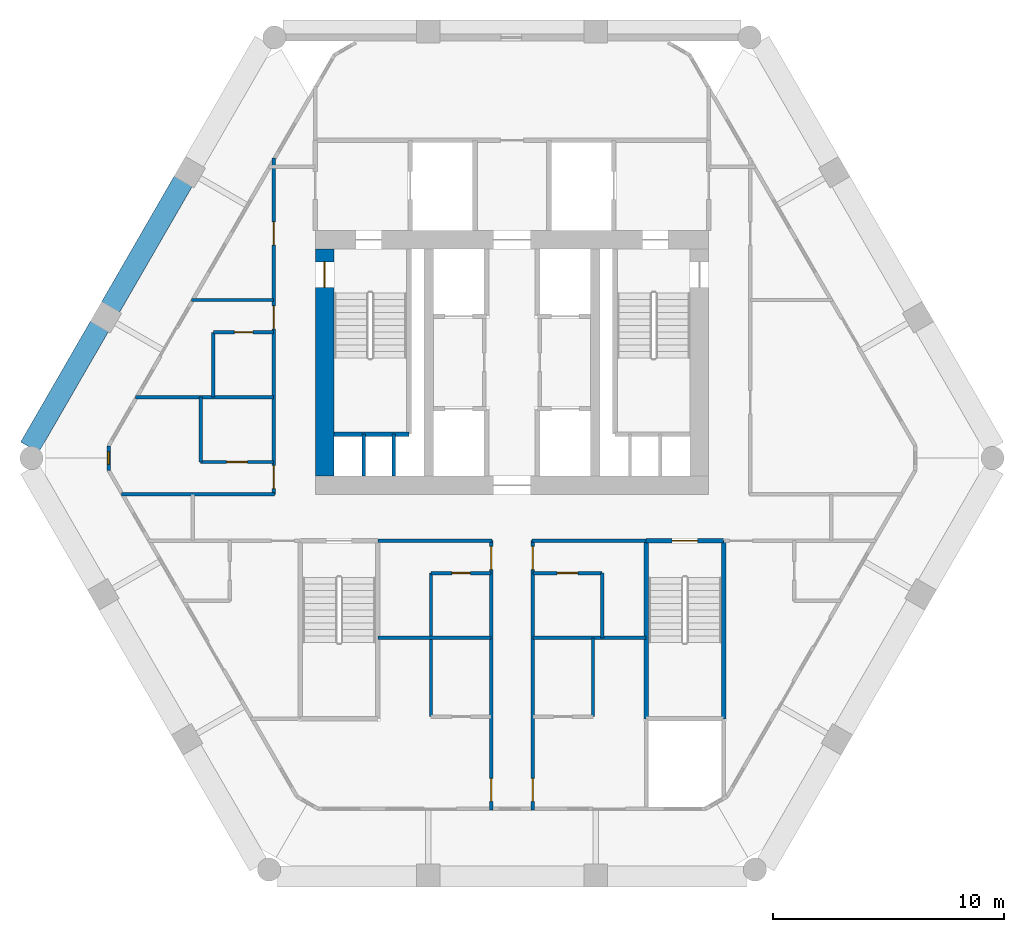
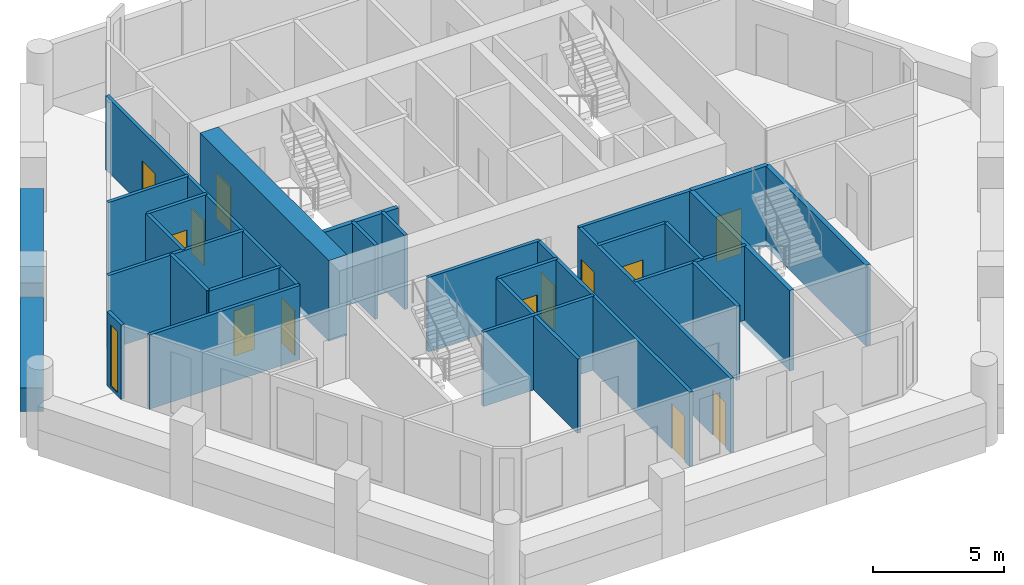
# One storey, part 3 of 7: 29 walls, 13 doors, 1 window, 14 openings.
"""IFC4 building model written with IfcOpenShell, lengths in metres."""

from ifc_helpers import new_model, si_unit, direction, frame, frame_2d, origin, place, context, subcontext, project, spatial, rectangle, extrude, material, layer, layer_set, type_object, element, fill, save


model = new_model("IFC4")

# Units and contexts
model_context = context("Model", 3, precision=1e-05, world=origin(), true_north=direction((0.0, 1.0)))
body_context = subcontext(model_context, "Body", "Model", "MODEL_VIEW")
ifc_project = project(units=[si_unit("LENGTHUNIT", "METRE"), si_unit("AREAUNIT", "SQUARE_METRE"), si_unit("VOLUMEUNIT", "CUBIC_METRE"), si_unit("PLANEANGLEUNIT", "RADIAN"), si_unit("MASSUNIT", "GRAM", prefix="KILO")], contexts=[model_context])

# Site, building, storey
site_placement = place(None, origin())
site = spatial("IfcSite", under=ifc_project, at=site_placement, CompositionType="ELEMENT")
building_placement = place(site_placement, origin())
building = spatial("IfcBuilding", under=site, at=building_placement, Name="Ostrander Bayou Hotel Tower", CompositionType="ELEMENT")
storey_placement = place(building_placement, frame((0.0, 0.0, 160.75)))
storey = spatial("IfcBuildingStorey", under=building, at=storey_placement, Name="L39", CompositionType="ELEMENT", Elevation=160.75)

# Wall, opening, door
ifc_material_1 = material(Name="Concrete f'c 60 MPa", Category="concrete")
ifc_layer_1 = layer(ifc_material_1, 0.800048828125)
ifc_layer_set_1 = layer_set([ifc_layer_1], Name="CW8 core spine wall 800 mm f'c 60 MPa")
wall_type_1 = type_object("IfcWallType", Name="CW8 core spine wall 800 mm f'c 60 MPa", PredefinedType="SHEAR", material=ifc_layer_set_1)
wall_1_placement = place(storey_placement, frame((-8.10009765625, -0.89990234375, -0.300048828125), z_axis=(0.0, 0.0, 1.0), x_axis=(0.0, 1.0, 0.0)))
wall_1 = element("IfcWall", 1, at=wall_1_placement, inside=storey, type_object=wall_type_1, Name="CW8 L39 W", PredefinedType="SHEAR", context=body_context, shape_type="SweptSolid", body=[
    extrude(rectangle(XDim=9.7998046875, YDim=0.800048828125, at=frame_2d((4.89990234375, 0.0))), origin(), (0.0, 0.0, 1.0), 3.75),
])
opening_1_placement = place(wall_1_placement, frame((8.14990234375, 0.0, 0.0)))
opening_1 = element("IfcOpeningElement", 2, at=opening_1_placement, cuts=wall_1, Name="Opening T38-008", PredefinedType="OPENING", context=body_context, shape_type="SweptSolid", body=[
    extrude(rectangle(XDim=1.10009765625, YDim=2.10009765625, at=frame_2d((0.550048828125, 1.050048828125))), frame((0.0, 0.39990234375, 0.0), z_axis=(0.0, -1.0, 0.0), x_axis=(1.0, 0.0, 0.0)), (0.0, 0.0, 1.0), 0.800048828125),
])
ifc_material_2 = material(Name="Timber door leaf", Category="wood")
door_type_1 = type_object("IfcDoorType", Name="D5 stair door 1100 x 2100 mm, 90 minute", OperationType="SINGLE_SWING_LEFT", PredefinedType="DOOR", material=ifc_material_2)
door_1_placement = place(opening_1_placement, origin())
door_1 = element("IfcDoor", 3, at=door_1_placement, inside=storey, type_object=door_type_1, Name="dr:L39:008", OperationType="SINGLE_SWING_RIGHT", OverallHeight=2.10009765625, OverallWidth=1.10009765625, PredefinedType="DOOR", context=body_context, shape_type="SweptSolid", body=[
    extrude(rectangle(XDim=1.10009765625, YDim=2.10009765625, at=frame_2d((0.550048828125, 1.050048828125))), frame((0.0, 0.02490234375, 0.0), z_axis=(0.0, -1.0, 0.0), x_axis=(1.0, 0.0, 0.0)), (0.0, 0.0, 1.0), 0.050048828125),
])
fill(opening_1, door_1)

# Wall, opening, window
ifc_material_3 = material(Name="Aluminium framed insulated wall", Category="aluminium")
ifc_layer_2 = layer(ifc_material_3, 0.14990234375)
ifc_layer_set_2 = layer_set([ifc_layer_2], Name="GW1 glass-line wall 150 mm")
wall_type_2 = type_object("IfcWallType", Name="GW1 glass-line wall 150 mm", PredefinedType="SOLIDWALL", material=ifc_layer_set_2)
wall_2_placement = place(storey_placement, frame((-17.42822265625, 0.401611328125, 0.0), z_axis=(0.0, 0.0, 1.0), x_axis=(0.0, -1.0, 0.0)))
wall_2 = element("IfcWall", 4, at=wall_2_placement, inside=storey, type_object=wall_type_2, Name="GW1 L39 corner 2", PredefinedType="SOLIDWALL", context=body_context, shape_type="SweptSolid", body=[
    extrude(rectangle(XDim=1.06494140625, YDim=0.14990234375, at=frame_2d((0.532470703125, 0.0))), origin(), (0.0, 0.0, 1.0), 3.449951171875),
])
opening_2_placement = place(wall_2_placement, frame((0.257568359375, 0.0, 0.14990234375)))
opening_2 = element("IfcOpeningElement", 5, at=opening_2_placement, cuts=wall_2, Name="Opening W19", PredefinedType="OPENING", context=body_context, shape_type="SweptSolid", body=[
    extrude(rectangle(XDim=0.550048828125, YDim=2.85009765625, at=frame_2d((0.27490234375, 1.425048828125))), frame((0.0, 0.074951171875, 0.0), z_axis=(0.0, -1.0, 0.0), x_axis=(1.0, 0.0, 0.0)), (0.0, 0.0, 1.0), 0.14990234375),
])
ifc_material_4 = material(Name="Aluminium and clear glass", Category="aluminium")
window_type = type_object("IfcWindowType", Name="W19 corner window 550 mm", PartitioningType="SINGLE_PANEL", PredefinedType="WINDOW", material=ifc_material_4)
window_placement = place(opening_2_placement, origin())
window = element("IfcWindow", 6, at=window_placement, inside=storey, type_object=window_type, Name="W19 L39 corner 2", OverallHeight=2.85009765625, OverallWidth=0.550048828125, PartitioningType="SINGLE_PANEL", PredefinedType="WINDOW", context=body_context, shape_type="SweptSolid", body=[
    extrude(rectangle(XDim=0.550048828125, YDim=2.85009765625, at=frame_2d((0.27490234375, 1.425048828125))), frame((0.0, 0.030029296875, 0.0), z_axis=(0.0, -1.0, 0.0), x_axis=(1.0, 0.0, 0.0)), (0.0, 0.0, 1.0), 0.06005859375),
])
fill(opening_2, window)

# Walls
ifc_material_5 = material(Name="Concrete f'c 40 MPa", Category="concrete")
ifc_layer_3 = layer(ifc_material_5, 0.89990234375)
ifc_layer_set_3 = layer_set([ifc_layer_3], Name="PA1 stone-faced parapet 900 mm")
wall_type_3 = type_object("IfcWallType", Name="PA1 stone-faced parapet 900 mm", PredefinedType="PARAPET", material=ifc_layer_set_3)
wall_3_placement = place(storey_placement, frame((-14.2041015625, 11.835693359375, 0.0), z_axis=(0.0, 0.0, 1.0), x_axis=(-0.500030142214, -0.86600800047, 0.0)))
element("IfcWall", 7, at=wall_3_placement, inside=storey, type_object=wall_type_3, Name="PA1 L39 NW-2", PredefinedType="PARAPET", context=body_context, shape_type="SweptSolid", body=[
    extrude(rectangle(XDim=6.2958984375, YDim=0.89990234375, at=frame_2d((3.14794921875, 0.0))), origin(), (0.0, 0.0, 1.0), 1.10009765625),
])
wall_4_placement = place(storey_placement, frame((-17.822265625, 5.569091796875, 0.0), z_axis=(0.0, 0.0, 1.0), x_axis=(-0.500012890865, -0.866017961112, 0.0)))
element("IfcWall", 8, at=wall_4_placement, inside=storey, type_object=wall_type_3, Name="PA1 L39 NW-3", PredefinedType="PARAPET", context=body_context, shape_type="SweptSolid", body=[
    extrude(rectangle(XDim=6.039306640625, YDim=0.89990234375, at=frame_2d((3.01953125, 0.0))), origin(), (0.0, 0.0, 1.0), 1.10009765625),
])
ifc_material_6 = material(Name="Gypsum board partition", Category="finish")
ifc_layer_4 = layer(ifc_material_6, 0.14990234375)
ifc_layer_set_4 = layer_set([ifc_layer_4], Name="PT7 riser wall 150 mm, 2 hour")
wall_type_4 = type_object("IfcWallType", Name="PT7 riser wall 150 mm, 2 hour", PredefinedType="PARTITIONING", material=ifc_layer_set_4)
for number, where, z_axis, x_axis, name in (
    (9, (-6.39990234375, -0.89990234375, 0.0), (0.0, 0.0, 1.0), (0.0, 1.0, 0.0), "cs:L39:011"),
    (10, (-5.10009765625, -0.89990234375, 0.0), (0.0, 0.0, 1.0), (0.0, 1.0, 0.0), "cs:L39:012"),
):
    element("IfcWall", number, at=place(storey_placement, frame(where, z_axis=z_axis, x_axis=x_axis)), inside=storey, type_object=wall_type_4, Name=name, PredefinedType="PARTITIONING", context=body_context, shape_type="SweptSolid", body=[
        extrude(rectangle(XDim=1.7998046875, YDim=0.14990234375, at=frame_2d((0.89990234375, 0.0))), origin(), (0.0, 0.0, 1.0), 3.449951171875),
    ])
ifc_material_7 = material(Name="Gypsum board partition", Category="finish")
ifc_layer_5 = layer(ifc_material_7, 0.14990234375)
ifc_layer_set_5 = layer_set([ifc_layer_5], Name="PT8 service band wall 150 mm, 1 hour")
wall_type_5 = type_object("IfcWallType", Name="PT8 service band wall 150 mm, 1 hour", PredefinedType="PARTITIONING", material=ifc_layer_set_5)
for number, where, z_axis, x_axis, name in (
    (11, (-5.7900390625, -7.89990234375, 0.0), (0.0, 0.0, 1.0), (1.0, 0.0, 0.0), "gw:L39:004"),
    (12, (0.89990234375, -7.89990234375, 0.0), (0.0, 0.0, 1.0), (1.0, 0.0, 0.0), "gw:L39:005"),
):
    element("IfcWall", number, at=place(storey_placement, frame(where, z_axis=z_axis, x_axis=x_axis)), inside=storey, type_object=wall_type_5, Name=name, PredefinedType="PARTITIONING", context=body_context, shape_type="SweptSolid", body=[
        extrude(rectangle(XDim=4.89013671875, YDim=0.14990234375, at=frame_2d((2.445068359375, 0.0))), origin(), (0.0, 0.0, 1.0), 3.449951171875),
    ])

# Wall, opening, door
wall_5_placement = place(storey_placement, frame((-3.5, -5.10009765625, 0.0), z_axis=(0.0, 0.0, 1.0), x_axis=(1.0, 0.0, 0.0)))
wall_5 = element("IfcWall", 13, at=wall_5_placement, inside=storey, type_object=wall_type_5, Name="gw:L39:008", PredefinedType="PARTITIONING", context=body_context, shape_type="SweptSolid", body=[
    extrude(rectangle(XDim=2.60009765625, YDim=0.14990234375, at=frame_2d((1.300048828125, 0.0))), origin(), (0.0, 0.0, 1.0), 3.449951171875),
])
opening_3_placement = place(wall_5_placement, frame((0.89990234375, 0.0, 0.0)))
opening_3 = element("IfcOpeningElement", 14, at=opening_3_placement, cuts=wall_5, Name="Opening T38-403", PredefinedType="OPENING", context=body_context, shape_type="SweptSolid", body=[
    extrude(rectangle(XDim=0.800048828125, YDim=2.10009765625, at=frame_2d((0.39990234375, 1.050048828125))), frame((0.0, 0.074951171875, 0.0), z_axis=(0.0, -1.0, 0.0), x_axis=(1.0, 0.0, 0.0)), (0.0, 0.0, 1.0), 0.14990234375),
])
ifc_material_8 = material(Name="Timber door leaf", Category="wood")
door_type_2 = type_object("IfcDoorType", Name="D2 bathroom door 800 x 2100 mm", OperationType="SINGLE_SWING_LEFT", PredefinedType="DOOR", material=ifc_material_8)
door_2_placement = place(opening_3_placement, origin())
door_2 = element("IfcDoor", 15, at=door_2_placement, inside=storey, type_object=door_type_2, Name="dr:L39:403", OperationType="SINGLE_SWING_RIGHT", OverallHeight=2.10009765625, OverallWidth=0.800048828125, PredefinedType="DOOR", context=body_context, shape_type="SweptSolid", body=[
    extrude(rectangle(XDim=0.800048828125, YDim=2.10009765625, at=frame_2d((0.39990234375, 1.050048828125))), frame((0.0, 0.02490234375, 0.0), z_axis=(0.0, -1.0, 0.0), x_axis=(1.0, 0.0, 0.0)), (0.0, 0.0, 1.0), 0.050048828125),
])
fill(opening_3, door_2)

wall_6_placement = place(storey_placement, frame((0.89990234375, -5.10009765625, 0.0), z_axis=(0.0, 0.0, 1.0), x_axis=(1.0, 0.0, 0.0)))
wall_6 = element("IfcWall", 16, at=wall_6_placement, inside=storey, type_object=wall_type_5, Name="gw:L39:009", PredefinedType="PARTITIONING", context=body_context, shape_type="SweptSolid", body=[
    extrude(rectangle(XDim=3.0, YDim=0.14990234375, at=frame_2d((1.5, 0.0))), origin(), (0.0, 0.0, 1.0), 3.449951171875),
])
opening_4_placement = place(wall_6_placement, frame((1.050048828125, 0.0, 0.0)))
opening_4 = element("IfcOpeningElement", 17, at=opening_4_placement, cuts=wall_6, Name="Opening T38-407", PredefinedType="OPENING", context=body_context, shape_type="SweptSolid", body=[
    extrude(rectangle(XDim=0.89990234375, YDim=2.10009765625, at=frame_2d((0.449951171875, 1.050048828125))), frame((0.0, 0.074951171875, 0.0), z_axis=(0.0, -1.0, 0.0), x_axis=(1.0, 0.0, 0.0)), (0.0, 0.0, 1.0), 0.14990234375),
])
ifc_material_9 = material(Name="Timber door leaf", Category="wood")
door_type_3 = type_object("IfcDoorType", Name="D14 bathroom door 900 x 2100 mm", OperationType="SINGLE_SWING_LEFT", PredefinedType="DOOR", material=ifc_material_9)
door_3_placement = place(opening_4_placement, origin())
door_3 = element("IfcDoor", 18, at=door_3_placement, inside=storey, type_object=door_type_3, Name="dr:L39:407", OperationType="SINGLE_SWING_LEFT", OverallHeight=2.10009765625, OverallWidth=0.89990234375, PredefinedType="DOOR", context=body_context, shape_type="SweptSolid", body=[
    extrude(rectangle(XDim=0.89990234375, YDim=2.10009765625, at=frame_2d((0.449951171875, 1.050048828125))), frame((0.0, 0.02490234375, 0.0), z_axis=(0.0, -1.0, 0.0), x_axis=(1.0, 0.0, 0.0)), (0.0, 0.0, 1.0), 0.050048828125),
])
fill(opening_4, door_3)

# Walls
for number, where, z_axis, x_axis, name in (
    (19, (-5.7900390625, -3.699951171875, 0.0), (0.0, 0.0, 1.0), (1.0, 0.0, 0.0), "gw:L39:011"),
    (20, (0.860107421875, -3.699951171875, 0.0), (0.0, 0.0, 1.0), (1.0, 0.0, 0.0), "gw:L39:012"),
):
    element("IfcWall", number, at=place(storey_placement, frame(where, z_axis=z_axis, x_axis=x_axis)), inside=storey, type_object=wall_type_5, Name=name, PredefinedType="PARTITIONING", context=body_context, shape_type="SweptSolid", body=[
        extrude(rectangle(XDim=4.929931640625, YDim=0.14990234375, at=frame_2d((2.46484375, 0.0))), origin(), (0.0, 0.0, 1.0), 3.449951171875),
    ])
wall_7_placement = place(storey_placement, frame((-16.882080078125, -1.699951171875, 0.0), z_axis=(0.0, 0.0, 1.0), x_axis=(1.0, 0.0, 0.0)))
element("IfcWall", 21, at=wall_7_placement, inside=storey, type_object=wall_type_5, Name="gw:L39:014", PredefinedType="PARTITIONING", context=body_context, shape_type="SweptSolid", body=[
    extrude(rectangle(XDim=6.6220703125, YDim=0.14990234375, at=frame_2d((3.31103515625, 0.0))), origin(), (0.0, 0.0, 1.0), 3.449951171875),
])

# Wall, opening, door
wall_8_placement = place(storey_placement, frame((-13.4599609375, -0.300048828125, 0.0), z_axis=(0.0, 0.0, 1.0), x_axis=(1.0, 0.0, 0.0)))
wall_8 = element("IfcWall", 22, at=wall_8_placement, inside=storey, type_object=wall_type_5, Name="gw:L39:016", PredefinedType="PARTITIONING", context=body_context, shape_type="SweptSolid", body=[
    extrude(rectangle(XDim=3.159912109375, YDim=0.14990234375, at=frame_2d((1.580078125, 0.0))), origin(), (0.0, 0.0, 1.0), 3.449951171875),
])
opening_5_placement = place(wall_8_placement, frame((1.12890625, 0.0, 0.0)))
opening_5 = element("IfcOpeningElement", 23, at=opening_5_placement, cuts=wall_8, Name="Opening T38-413", PredefinedType="OPENING", context=body_context, shape_type="SweptSolid", body=[
    extrude(rectangle(XDim=0.89990234375, YDim=2.10009765625, at=frame_2d((0.449951171875, 1.050048828125))), frame((0.0, 0.074951171875, 0.0), z_axis=(0.0, -1.0, 0.0), x_axis=(1.0, 0.0, 0.0)), (0.0, 0.0, 1.0), 0.14990234375),
])
door_4_placement = place(opening_5_placement, origin())
door_4 = element("IfcDoor", 24, at=door_4_placement, inside=storey, type_object=door_type_3, Name="dr:L39:413", OperationType="SINGLE_SWING_RIGHT", OverallHeight=2.10009765625, OverallWidth=0.89990234375, PredefinedType="DOOR", context=body_context, shape_type="SweptSolid", body=[
    extrude(rectangle(XDim=0.89990234375, YDim=2.10009765625, at=frame_2d((0.449951171875, 1.050048828125))), frame((0.0, 0.02490234375, 0.0), z_axis=(0.0, -1.0, 0.0), x_axis=(1.0, 0.0, 0.0)), (0.0, 0.0, 1.0), 0.050048828125),
])
fill(opening_5, door_4)

# Wall
wall_9_placement = place(storey_placement, frame((-16.26904296875, 2.5, 0.0), z_axis=(0.0, 0.0, 1.0), x_axis=(1.0, 0.0, 0.0)))
element("IfcWall", 25, at=wall_9_placement, inside=storey, type_object=wall_type_5, Name="gw:L39:017", PredefinedType="PARTITIONING", context=body_context, shape_type="SweptSolid", body=[
    extrude(rectangle(XDim=5.968994140625, YDim=0.14990234375, at=frame_2d((2.984375, 0.0))), origin(), (0.0, 0.0, 1.0), 3.449951171875),
])

# Wall, opening, door
wall_10_placement = place(storey_placement, frame((-12.89990234375, 5.300048828125, 0.0), z_axis=(0.0, 0.0, 1.0), x_axis=(1.0, 0.0, 0.0)))
wall_10 = element("IfcWall", 26, at=wall_10_placement, inside=storey, type_object=wall_type_5, Name="gw:L39:018", PredefinedType="PARTITIONING", context=body_context, shape_type="SweptSolid", body=[
    extrude(rectangle(XDim=2.599853515625, YDim=0.14990234375, at=frame_2d((1.2998046875, 0.0))), origin(), (0.0, 0.0, 1.0), 3.449951171875),
])
opening_6_placement = place(wall_10_placement, frame((0.89990234375, 0.0, 0.0)))
opening_6 = element("IfcOpeningElement", 27, at=opening_6_placement, cuts=wall_10, Name="Opening T38-415", PredefinedType="OPENING", context=body_context, shape_type="SweptSolid", body=[
    extrude(rectangle(XDim=0.800048828125, YDim=2.10009765625, at=frame_2d((0.39990234375, 1.050048828125))), frame((0.0, 0.074951171875, 0.0), z_axis=(0.0, -1.0, 0.0), x_axis=(1.0, 0.0, 0.0)), (0.0, 0.0, 1.0), 0.14990234375),
])
door_5_placement = place(opening_6_placement, origin())
door_5 = element("IfcDoor", 28, at=door_5_placement, inside=storey, type_object=door_type_2, Name="dr:L39:415", OperationType="SINGLE_SWING_RIGHT", OverallHeight=2.10009765625, OverallWidth=0.800048828125, PredefinedType="DOOR", context=body_context, shape_type="SweptSolid", body=[
    extrude(rectangle(XDim=0.800048828125, YDim=2.10009765625, at=frame_2d((0.39990234375, 1.050048828125))), frame((0.0, 0.02490234375, 0.0), z_axis=(0.0, -1.0, 0.0), x_axis=(1.0, 0.0, 0.0)), (0.0, 0.0, 1.0), 0.050048828125),
])
fill(opening_6, door_5)

# Walls
wall_11_placement = place(storey_placement, frame((-13.843994140625, 6.699951171875, 0.0), z_axis=(0.0, 0.0, 1.0), x_axis=(1.0, 0.0, 0.0)))
element("IfcWall", 29, at=wall_11_placement, inside=storey, type_object=wall_type_5, Name="gw:L39:019", PredefinedType="PARTITIONING", context=body_context, shape_type="SweptSolid", body=[
    extrude(rectangle(XDim=3.5439453125, YDim=0.14990234375, at=frame_2d((1.77197265625, 0.0))), origin(), (0.0, 0.0, 1.0), 3.449951171875),
])
wall_12_placement = place(storey_placement, frame((3.89990234375, -7.89990234375, 0.0), z_axis=(0.0, 0.0, 1.0), x_axis=(0.0, 1.0, 0.0)))
element("IfcWall", 30, at=wall_12_placement, inside=storey, type_object=wall_type_5, Name="gw:L39:029", PredefinedType="PARTITIONING", context=body_context, shape_type="SweptSolid", body=[
    extrude(rectangle(XDim=2.7998046875, YDim=0.14990234375, at=frame_2d((1.39990234375, 0.0))), origin(), (0.0, 0.0, 1.0), 3.449951171875),
])
wall_13_placement = place(storey_placement, frame((3.5, -11.300048828125, 0.0), z_axis=(0.0, 0.0, 1.0), x_axis=(0.0, 1.0, 0.0)))
element("IfcWall", 31, at=wall_13_placement, inside=storey, type_object=wall_type_5, Name="gw:L39:030", PredefinedType="PARTITIONING", context=body_context, shape_type="SweptSolid", body=[
    extrude(rectangle(XDim=3.400146484375, YDim=0.14990234375, at=frame_2d((1.7001953125, 0.0))), origin(), (0.0, 0.0, 1.0), 3.449951171875),
])

# Wall, openings, doors
wall_14_placement = place(storey_placement, frame((0.89990234375, -15.339111328125, 0.0), z_axis=(0.0, 0.0, 1.0), x_axis=(0.0, 1.0, 0.0)))
wall_14 = element("IfcWall", 32, at=wall_14_placement, inside=storey, type_object=wall_type_5, Name="gw:L39:031", PredefinedType="PARTITIONING", context=body_context, shape_type="SweptSolid", body=[
    extrude(rectangle(XDim=11.63916015625, YDim=0.14990234375, at=frame_2d((5.819580078125, 0.0))), origin(), (0.0, 0.0, 1.0), 3.449951171875),
])
opening_7_placement = place(wall_14_placement, frame((10.388916015625, 0.0, 0.0)))
opening_7 = element("IfcOpeningElement", 33, at=opening_7_placement, cuts=wall_14, Name="Opening T38-406", PredefinedType="OPENING", context=body_context, shape_type="SweptSolid", body=[
    extrude(rectangle(XDim=1.0, YDim=2.10009765625, at=frame_2d((0.5, 1.050048828125))), frame((0.0, 0.074951171875, 0.0), z_axis=(0.0, -1.0, 0.0), x_axis=(1.0, 0.0, 0.0)), (0.0, 0.0, 1.0), 0.14990234375),
])
opening_8_placement = place(wall_14_placement, frame((0.368896484375, 0.0, 0.0)))
opening_8 = element("IfcOpeningElement", 34, at=opening_8_placement, cuts=wall_14, Name="Opening T38-408", PredefinedType="OPENING", context=body_context, shape_type="SweptSolid", body=[
    extrude(rectangle(XDim=1.0, YDim=2.10009765625, at=frame_2d((0.5, 1.050048828125))), frame((0.0, 0.074951171875, 0.0), z_axis=(0.0, -1.0, 0.0), x_axis=(1.0, 0.0, 0.0)), (0.0, 0.0, 1.0), 0.14990234375),
])
ifc_material_10 = material(Name="Timber door leaf", Category="wood")
door_type_4 = type_object("IfcDoorType", Name="D1 guest room door 1000 x 2100 mm, 30 minute", OperationType="SINGLE_SWING_LEFT", PredefinedType="DOOR", material=ifc_material_10)
door_6_placement = place(opening_7_placement, origin())
door_6 = element("IfcDoor", 35, at=door_6_placement, inside=storey, type_object=door_type_4, Name="dr:L39:406", OperationType="SINGLE_SWING_RIGHT", OverallHeight=2.10009765625, OverallWidth=1.0, PredefinedType="DOOR", context=body_context, shape_type="SweptSolid", body=[
    extrude(rectangle(XDim=1.0, YDim=2.10009765625, at=frame_2d((0.5, 1.050048828125))), frame((0.0, 0.02490234375, 0.0), z_axis=(0.0, -1.0, 0.0), x_axis=(1.0, 0.0, 0.0)), (0.0, 0.0, 1.0), 0.050048828125),
])
fill(opening_7, door_6)
door_7_placement = place(opening_8_placement, origin())
door_7 = element("IfcDoor", 36, at=door_7_placement, inside=storey, type_object=door_type_4, Name="dr:L39:408", OperationType="SINGLE_SWING_LEFT", OverallHeight=2.10009765625, OverallWidth=1.0, PredefinedType="DOOR", context=body_context, shape_type="SweptSolid", body=[
    extrude(rectangle(XDim=1.0, YDim=2.10009765625, at=frame_2d((0.5, 1.050048828125))), frame((0.0, 0.02490234375, 0.0), z_axis=(0.0, -1.0, 0.0), x_axis=(1.0, 0.0, 0.0)), (0.0, 0.0, 1.0), 0.050048828125),
])
fill(opening_8, door_7)

wall_15_placement = place(storey_placement, frame((-0.89990234375, -15.339111328125, 0.0), z_axis=(0.0, 0.0, 1.0), x_axis=(0.0, 1.0, 0.0)))
wall_15 = element("IfcWall", 37, at=wall_15_placement, inside=storey, type_object=wall_type_5, Name="gw:L39:032", PredefinedType="PARTITIONING", context=body_context, shape_type="SweptSolid", body=[
    extrude(rectangle(XDim=11.63916015625, YDim=0.14990234375, at=frame_2d((5.819580078125, 0.0))), origin(), (0.0, 0.0, 1.0), 3.449951171875),
])
opening_9_placement = place(wall_15_placement, frame((10.388916015625, 0.0, 0.0)))
opening_9 = element("IfcOpeningElement", 38, at=opening_9_placement, cuts=wall_15, Name="Opening T38-402", PredefinedType="OPENING", context=body_context, shape_type="SweptSolid", body=[
    extrude(rectangle(XDim=1.0, YDim=2.10009765625, at=frame_2d((0.5, 1.050048828125))), frame((0.0, 0.074951171875, 0.0), z_axis=(0.0, -1.0, 0.0), x_axis=(1.0, 0.0, 0.0)), (0.0, 0.0, 1.0), 0.14990234375),
])
opening_10_placement = place(wall_15_placement, frame((0.368896484375, 0.0, 0.0)))
opening_10 = element("IfcOpeningElement", 39, at=opening_10_placement, cuts=wall_15, Name="Opening T38-404", PredefinedType="OPENING", context=body_context, shape_type="SweptSolid", body=[
    extrude(rectangle(XDim=1.0, YDim=2.10009765625, at=frame_2d((0.5, 1.050048828125))), frame((0.0, 0.074951171875, 0.0), z_axis=(0.0, -1.0, 0.0), x_axis=(1.0, 0.0, 0.0)), (0.0, 0.0, 1.0), 0.14990234375),
])
door_8_placement = place(opening_9_placement, origin())
door_8 = element("IfcDoor", 40, at=door_8_placement, inside=storey, type_object=door_type_4, Name="dr:L39:402", OperationType="SINGLE_SWING_RIGHT", OverallHeight=2.10009765625, OverallWidth=1.0, PredefinedType="DOOR", context=body_context, shape_type="SweptSolid", body=[
    extrude(rectangle(XDim=1.0, YDim=2.10009765625, at=frame_2d((0.5, 1.050048828125))), frame((0.0, 0.02490234375, 0.0), z_axis=(0.0, -1.0, 0.0), x_axis=(1.0, 0.0, 0.0)), (0.0, 0.0, 1.0), 0.050048828125),
])
fill(opening_9, door_8)
door_9_placement = place(opening_10_placement, origin())
door_9 = element("IfcDoor", 41, at=door_9_placement, inside=storey, type_object=door_type_4, Name="dr:L39:404", OperationType="SINGLE_SWING_LEFT", OverallHeight=2.10009765625, OverallWidth=1.0, PredefinedType="DOOR", context=body_context, shape_type="SweptSolid", body=[
    extrude(rectangle(XDim=1.0, YDim=2.10009765625, at=frame_2d((0.5, 1.050048828125))), frame((0.0, 0.02490234375, 0.0), z_axis=(0.0, -1.0, 0.0), x_axis=(1.0, 0.0, 0.0)), (0.0, 0.0, 1.0), 0.050048828125),
])
fill(opening_10, door_9)

# Wall
wall_16_placement = place(storey_placement, frame((-3.5, -11.300048828125, 0.0), z_axis=(0.0, 0.0, 1.0), x_axis=(0.0, 1.0, 0.0)))
element("IfcWall", 42, at=wall_16_placement, inside=storey, type_object=wall_type_5, Name="gw:L39:033", PredefinedType="PARTITIONING", context=body_context, shape_type="SweptSolid", body=[
    extrude(rectangle(XDim=6.199951171875, YDim=0.14990234375, at=frame_2d((3.10009765625, 0.0))), origin(), (0.0, 0.0, 1.0), 3.449951171875),
])

# Wall, openings, doors
wall_17_placement = place(storey_placement, frame((-10.300048828125, -1.699951171875, 0.0), z_axis=(0.0, 0.0, 1.0), x_axis=(0.0, 1.0, 0.0)))
wall_17 = element("IfcWall", 43, at=wall_17_placement, inside=storey, type_object=wall_type_5, Name="gw:L39:035", PredefinedType="PARTITIONING", context=body_context, shape_type="SweptSolid", body=[
    extrude(rectangle(XDim=14.537841796875, YDim=0.14990234375, at=frame_2d((7.26904296875, 0.0))), origin(), (0.0, 0.0, 1.0), 3.449951171875),
])
opening_11_placement = place(wall_17_placement, frame((0.25, 0.0, 0.0)))
opening_11 = element("IfcOpeningElement", 44, at=opening_11_placement, cuts=wall_17, Name="Opening T38-412", PredefinedType="OPENING", context=body_context, shape_type="SweptSolid", body=[
    extrude(rectangle(XDim=1.0, YDim=2.10009765625, at=frame_2d((0.5, 1.050048828125))), frame((0.0, 0.074951171875, 0.0), z_axis=(0.0, -1.0, 0.0), x_axis=(1.0, 0.0, 0.0)), (0.0, 0.0, 1.0), 0.14990234375),
])
opening_12_placement = place(wall_17_placement, frame((7.14990234375, 0.0, 0.0)))
opening_12 = element("IfcOpeningElement", 45, at=opening_12_placement, cuts=wall_17, Name="Opening T38-414", PredefinedType="OPENING", context=body_context, shape_type="SweptSolid", body=[
    extrude(rectangle(XDim=1.0, YDim=2.10009765625, at=frame_2d((0.5, 1.050048828125))), frame((0.0, 0.074951171875, 0.0), z_axis=(0.0, -1.0, 0.0), x_axis=(1.0, 0.0, 0.0)), (0.0, 0.0, 1.0), 0.14990234375),
])
opening_13_placement = place(wall_17_placement, frame((10.77490234375, 0.0, 0.0)))
opening_13 = element("IfcOpeningElement", 46, at=opening_13_placement, cuts=wall_17, Name="Opening T38-416", PredefinedType="OPENING", context=body_context, shape_type="SweptSolid", body=[
    extrude(rectangle(XDim=1.0, YDim=2.10009765625, at=frame_2d((0.5, 1.050048828125))), frame((0.0, 0.074951171875, 0.0), z_axis=(0.0, -1.0, 0.0), x_axis=(1.0, 0.0, 0.0)), (0.0, 0.0, 1.0), 0.14990234375),
])
door_10_placement = place(opening_11_placement, origin())
door_10 = element("IfcDoor", 47, at=door_10_placement, inside=storey, type_object=door_type_4, Name="dr:L39:412", OperationType="SINGLE_SWING_LEFT", OverallHeight=2.10009765625, OverallWidth=1.0, PredefinedType="DOOR", context=body_context, shape_type="SweptSolid", body=[
    extrude(rectangle(XDim=1.0, YDim=2.10009765625, at=frame_2d((0.5, 1.050048828125))), frame((0.0, 0.02490234375, 0.0), z_axis=(0.0, -1.0, 0.0), x_axis=(1.0, 0.0, 0.0)), (0.0, 0.0, 1.0), 0.050048828125),
])
fill(opening_11, door_10)
door_11_placement = place(opening_12_placement, origin())
door_11 = element("IfcDoor", 48, at=door_11_placement, inside=storey, type_object=door_type_4, Name="dr:L39:414", OperationType="SINGLE_SWING_RIGHT", OverallHeight=2.10009765625, OverallWidth=1.0, PredefinedType="DOOR", context=body_context, shape_type="SweptSolid", body=[
    extrude(rectangle(XDim=1.0, YDim=2.10009765625, at=frame_2d((0.5, 1.050048828125))), frame((0.0, 0.02490234375, 0.0), z_axis=(0.0, -1.0, 0.0), x_axis=(1.0, 0.0, 0.0)), (0.0, 0.0, 1.0), 0.050048828125),
])
fill(opening_12, door_11)
ifc_material_11 = material(Name="Timber door leaf", Category="wood")
door_type_5 = type_object("IfcDoorType", Name="D9 service door 1000 x 2100 mm, 30 minute", OperationType="SINGLE_SWING_LEFT", PredefinedType="DOOR", material=ifc_material_11)
door_12_placement = place(opening_13_placement, origin())
door_12 = element("IfcDoor", 49, at=door_12_placement, inside=storey, type_object=door_type_5, Name="dr:L39:416", OperationType="SINGLE_SWING_LEFT", OverallHeight=2.10009765625, OverallWidth=1.0, PredefinedType="DOOR", context=body_context, shape_type="SweptSolid", body=[
    extrude(rectangle(XDim=1.0, YDim=2.10009765625, at=frame_2d((0.5, 1.050048828125))), frame((0.0, 0.02490234375, 0.0), z_axis=(0.0, -1.0, 0.0), x_axis=(1.0, 0.0, 0.0)), (0.0, 0.0, 1.0), 0.050048828125),
])
fill(opening_13, door_12)

# Walls
for number, where, z_axis, x_axis, name in (
    (50, (-12.89990234375, 2.5, 0.0), (0.0, 0.0, 1.0), (0.0, 1.0, 0.0), "gw:L39:037"),
    (51, (-13.4599609375, -0.300048828125, 0.0), (0.0, 0.0, 1.0), (0.0, 1.0, 0.0), "gw:L39:038"),
):
    element("IfcWall", number, at=place(storey_placement, frame(where, z_axis=z_axis, x_axis=x_axis)), inside=storey, type_object=wall_type_5, Name=name, PredefinedType="PARTITIONING", context=body_context, shape_type="SweptSolid", body=[
        extrude(rectangle(XDim=2.800048828125, YDim=0.14990234375, at=frame_2d((1.39990234375, 0.0))), origin(), (0.0, 0.0, 1.0), 3.449951171875),
    ])
ifc_material_12 = material(Name="Concrete f'c 45 MPa", Category="concrete")
ifc_layer_6 = layer(ifc_material_12, 0.199951171875)
ifc_layer_set_6 = layer_set([ifc_layer_6], Name="SW5 stair enclosure wall 200 mm f'c 45 MPa")
wall_type_6 = type_object("IfcWallType", Name="SW5 stair enclosure wall 200 mm f'c 45 MPa", PredefinedType="SOLIDWALL", material=ifc_layer_set_6)
wall_18_placement = place(storey_placement, frame((-7.699951171875, 0.89990234375, -0.300048828125), z_axis=(0.0, 0.0, 1.0), x_axis=(1.0, 0.0, 0.0)))
element("IfcWall", 52, at=wall_18_placement, inside=storey, type_object=wall_type_6, Name="cs:L39:010", PredefinedType="SOLIDWALL", context=body_context, shape_type="SweptSolid", body=[
    extrude(rectangle(XDim=3.25, YDim=0.199951171875, at=frame_2d((1.625, 0.0))), origin(), (0.0, 0.0, 1.0), 3.75),
])

# Wall, opening, door
wall_19_placement = place(storey_placement, frame((5.800048828125, -3.699951171875, -0.300048828125), z_axis=(0.0, 0.0, 1.0), x_axis=(1.0, 0.0, 0.0)))
wall_19 = element("IfcWall", 53, at=wall_19_placement, inside=storey, type_object=wall_type_6, Name="cs:L39:017", PredefinedType="SOLIDWALL", context=body_context, shape_type="SweptSolid", body=[
    extrude(rectangle(XDim=3.349853515625, YDim=0.199951171875, at=frame_2d((1.6748046875, 0.0))), origin(), (0.0, 0.0, 1.0), 3.75),
])
opening_14_placement = place(wall_19_placement, frame((1.125, 0.0, 0.0)))
opening_14 = element("IfcOpeningElement", 54, at=opening_14_placement, cuts=wall_19, Name="Opening T38-011", PredefinedType="OPENING", context=body_context, shape_type="SweptSolid", body=[
    extrude(rectangle(XDim=1.10009765625, YDim=2.10009765625, at=frame_2d((0.550048828125, 1.050048828125))), frame((0.0, 0.10009765625, 0.0), z_axis=(0.0, -1.0, 0.0), x_axis=(1.0, 0.0, 0.0)), (0.0, 0.0, 1.0), 0.199951171875),
])
door_13_placement = place(opening_14_placement, origin())
door_13 = element("IfcDoor", 55, at=door_13_placement, inside=storey, type_object=door_type_1, Name="dr:L39:011", OperationType="SINGLE_SWING_LEFT", OverallHeight=2.10009765625, OverallWidth=1.10009765625, PredefinedType="DOOR", context=body_context, shape_type="SweptSolid", body=[
    extrude(rectangle(XDim=1.10009765625, YDim=2.10009765625, at=frame_2d((0.550048828125, 1.050048828125))), frame((0.0, 0.02490234375, 0.0), z_axis=(0.0, -1.0, 0.0), x_axis=(1.0, 0.0, 0.0)), (0.0, 0.0, 1.0), 0.050048828125),
])
fill(opening_14, door_13)

# Walls
for number, where, z_axis, x_axis, name in (
    (56, (5.800048828125, -3.699951171875, -0.300048828125), (0.0, 0.0, 1.0), (0.0, -1.0, 0.0), "cs:L39:018"),
    (57, (9.14990234375, -3.699951171875, -0.300048828125), (0.0, 0.0, 1.0), (0.0, -1.0, 0.0), "cs:L39:019"),
):
    element("IfcWall", number, at=place(storey_placement, frame(where, z_axis=z_axis, x_axis=x_axis)), inside=storey, type_object=wall_type_6, Name=name, PredefinedType="SOLIDWALL", context=body_context, shape_type="SweptSolid", body=[
        extrude(rectangle(XDim=7.699951171875, YDim=0.199951171875, at=frame_2d((3.85009765625, 0.0))), origin(), (0.0, 0.0, 1.0), 3.75),
    ])

save(model, "model.ifc")
